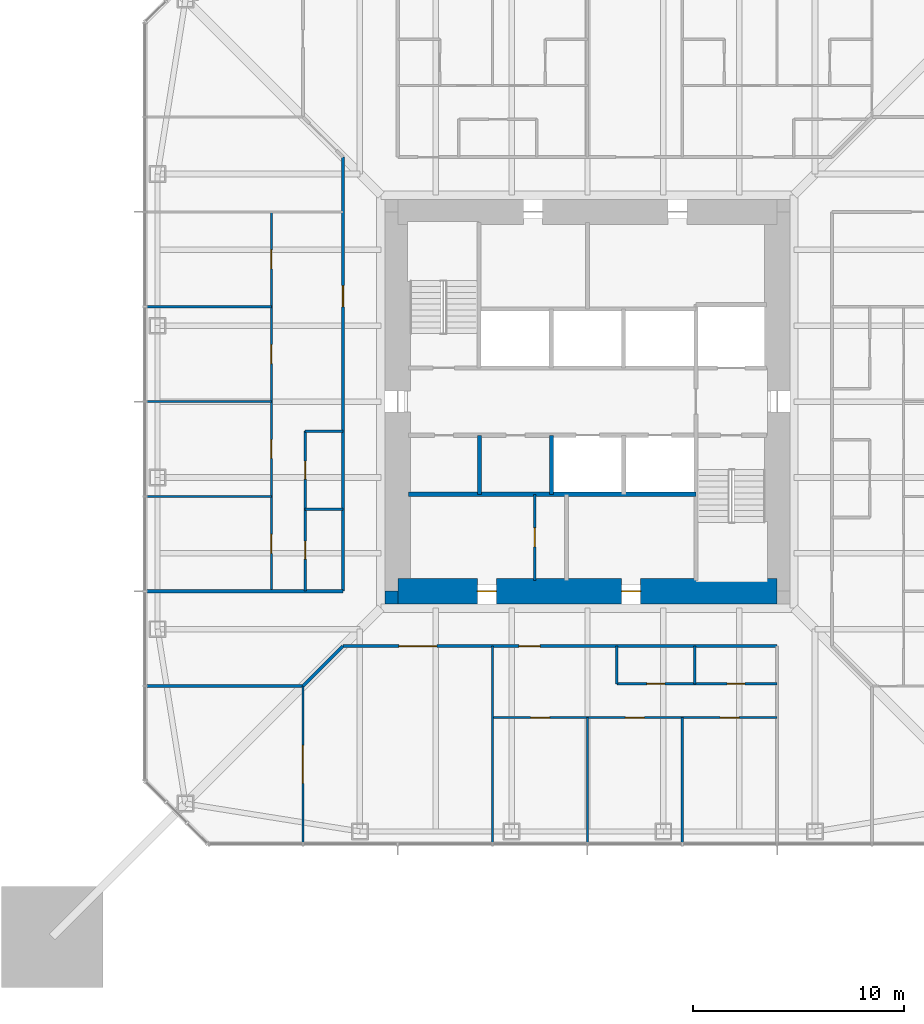
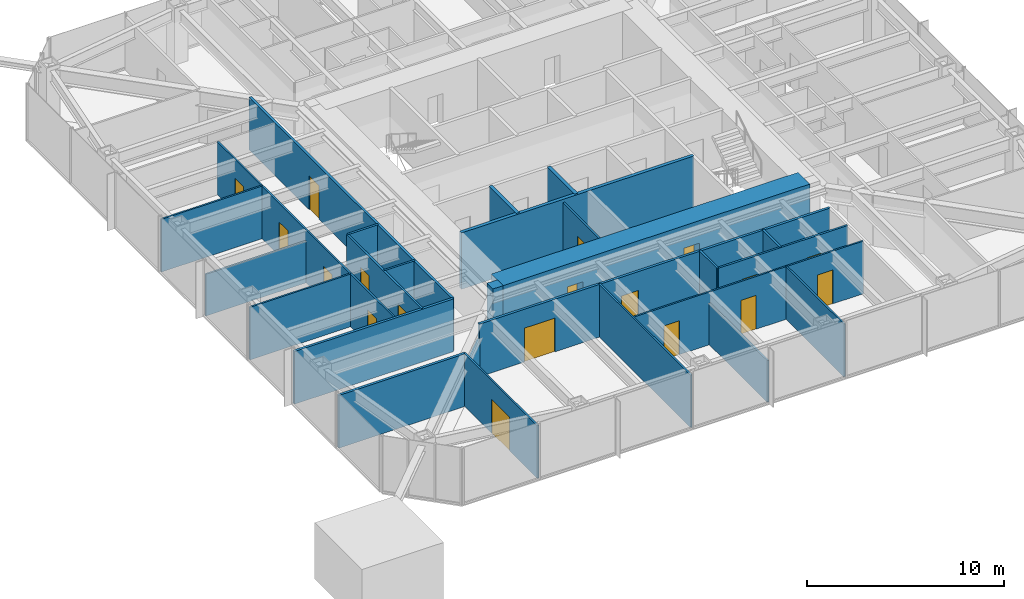
# One storey, part 13 of 25: 26 walls, 18 doors, 18 openings.
"""IFC4 building model written with IfcOpenShell, lengths in metres."""

from ifc_helpers import new_model, si_unit, direction, frame, frame_2d, origin, place, context, subcontext, project, spatial, rectangle, extrude, material, layer, layer_set, type_object, element, fill, save


model = new_model("IFC4")

# Units and contexts
model_context = context("Model", 3, precision=1e-05, world=origin(), true_north=direction((0.0, 1.0)))
body_context = subcontext(model_context, "Body", "Model", "MODEL_VIEW")
ifc_project = project(units=[si_unit("LENGTHUNIT", "METRE"), si_unit("AREAUNIT", "SQUARE_METRE"), si_unit("VOLUMEUNIT", "CUBIC_METRE"), si_unit("PLANEANGLEUNIT", "RADIAN"), si_unit("MASSUNIT", "GRAM", prefix="KILO")], contexts=[model_context])

# Site, building, storey
site_placement = place(None, origin())
site = spatial("IfcSite", under=ifc_project, at=site_placement, CompositionType="ELEMENT")
building_placement = place(site_placement, origin())
building = spatial("IfcBuilding", under=site, at=building_placement, Name="Iwan Alto Co-Living Towers", CompositionType="ELEMENT")
storey_placement = place(building_placement, frame((0.0, 0.0, 108.5)))
storey = spatial("IfcBuildingStorey", under=building, at=storey_placement, Name="L29", CompositionType="ELEMENT", Elevation=108.5)

# Wall
ifc_material_1 = material(Name="Gypsum board")
ifc_layer_1 = layer(ifc_material_1, 0.02490234375, Name="Board", Category="Finish")
ifc_material_2 = material(Name="Steel ASTM A1003 ST33H cold-formed studs", Category="steel")
ifc_layer_2 = layer(ifc_material_2, 0.10009765625, Name="Studs", Category="Framing")
ifc_layer_3 = layer(ifc_material_1, 0.02490234375, Name="Board", Category="Finish")
ifc_layer_set_1 = layer_set([ifc_layer_1, ifc_layer_2, ifc_layer_3], Name="CORRIDOR WALL 150")
wall_type_1 = type_object("IfcWallType", Name="CORRIDOR WALL 150", PredefinedType="PARTITIONING", material=ifc_layer_set_1)
wall_1_placement = place(storey_placement, frame((-20.93994140625, -13.5, 0.0), z_axis=(0.0, 0.0, 1.0), x_axis=(1.0, 0.0, 0.0)))
element("IfcWall", 1, at=wall_1_placement, inside=storey, type_object=wall_type_1, Name="Partition L29", PredefinedType="PARTITIONING", context=body_context, shape_type="SweptSolid", body=[
    extrude(rectangle(XDim=7.43994140625, YDim=0.14990234375, at=frame_2d((3.719970703125, 0.0))), origin(), (0.0, 0.0, 1.0), 3.27001953125),
])

# Wall, openings, doors
wall_2_placement = place(storey_placement, frame((-11.60009765625, -11.60009765625, 0.0), z_axis=(0.0, 0.0, 1.0), x_axis=(1.0, 0.0, 0.0)))
wall_2 = element("IfcWall", 2, at=wall_2_placement, inside=storey, type_object=wall_type_1, Name="Partition L29", PredefinedType="PARTITIONING", context=body_context, shape_type="SweptSolid", body=[
    extrude(rectangle(XDim=20.60009765625, YDim=0.14990234375, at=frame_2d((10.300048828125, 0.0))), origin(), (0.0, 0.0, 1.0), 3.27001953125),
])
opening_1_placement = place(wall_2_placement, frame((2.64990234375, 0.0, 0.0)))
opening_1 = element("IfcOpeningElement", 3, at=opening_1_placement, cuts=wall_2, Name="Opening D9", PredefinedType="OPENING", context=body_context, shape_type="SweptSolid", body=[
    extrude(rectangle(XDim=1.800048828125, YDim=2.10009765625, at=frame_2d((0.89990234375, 1.050048828125))), frame((0.0, 0.0849609375, 0.0), z_axis=(0.0, -1.0, 0.0), x_axis=(1.0, 0.0, 0.0)), (0.0, 0.0, 1.0), 0.169921875),
])
opening_2_placement = place(wall_2_placement, frame((8.35009765625, 0.0, 0.0)))
opening_2 = element("IfcOpeningElement", 4, at=opening_2_placement, cuts=wall_2, Name="Opening D3", PredefinedType="OPENING", context=body_context, shape_type="SweptSolid", body=[
    extrude(rectangle(XDim=1.0, YDim=2.10009765625, at=frame_2d((0.5, 1.050048828125))), frame((0.0, 0.0849609375, 0.0), z_axis=(0.0, -1.0, 0.0), x_axis=(1.0, 0.0, 0.0)), (0.0, 0.0, 1.0), 0.169921875),
])
ifc_material_3 = material(Name="Steel frame with timber leaf", Category="steel")
door_type_1 = type_object("IfcDoorType", Name="FLAT ENTRANCE DOOR FD30S 1000X2100", OperationType="SINGLE_SWING_LEFT", PredefinedType="DOOR", material=ifc_material_3)
door_1_placement = place(opening_2_placement, frame((1.0, 0.0, 0.0), z_axis=(0.0, 0.0, 1.0), x_axis=(-1.0, 0.0, 0.0)))
door_1 = element("IfcDoor", 5, at=door_1_placement, inside=storey, type_object=door_type_1, Name="Cluster lounge and shared kitchen door L29", OperationType="SINGLE_SWING_RIGHT", OverallHeight=2.10009765625, OverallWidth=1.0, PredefinedType="DOOR", context=body_context, shape_type="SweptSolid", body=[
    extrude(rectangle(XDim=1.0, YDim=2.10009765625, at=frame_2d((0.5, 1.050048828125))), frame((0.0, 0.02490234375, 0.0), z_axis=(0.0, -1.0, 0.0), x_axis=(1.0, 0.0, 0.0)), (0.0, 0.0, 1.0), 0.050048828125),
])
fill(opening_2, door_1)
ifc_material_4 = material(Name="Steel frame with timber leaf", Category="steel")
door_type_2 = type_object("IfcDoorType", Name="LOUNGE DOOR FD30S 1800X2100", OperationType="DOUBLE_DOOR_SINGLE_SWING", PredefinedType="DOOR", material=ifc_material_4)
door_2_placement = place(opening_1_placement, frame((1.800048828125, 0.0, 0.0), z_axis=(0.0, 0.0, 1.0), x_axis=(-1.0, 0.0, 0.0)))
door_2 = element("IfcDoor", 6, at=door_2_placement, inside=storey, type_object=door_type_2, Name="Study commons door L29", OperationType="DOUBLE_DOOR_SINGLE_SWING", OverallHeight=2.10009765625, OverallWidth=1.800048828125, PredefinedType="DOOR", context=body_context, shape_type="SweptSolid", body=[
    extrude(rectangle(XDim=1.800048828125, YDim=2.10009765625, at=frame_2d((0.89990234375, 1.050048828125))), frame((0.0, 0.02490234375, 0.0), z_axis=(0.0, -1.0, 0.0), x_axis=(1.0, 0.0, 0.0)), (0.0, 0.0, 1.0), 0.050048828125),
])
fill(opening_1, door_2)

# Walls
wall_3_placement = place(storey_placement, frame((-20.93994140625, -9.0, 0.0), z_axis=(0.0, 0.0, 1.0), x_axis=(1.0, 0.0, 0.0)))
element("IfcWall", 7, at=wall_3_placement, inside=storey, type_object=wall_type_1, Name="Partition L29", PredefinedType="PARTITIONING", context=body_context, shape_type="SweptSolid", body=[
    extrude(rectangle(XDim=9.33984375, YDim=0.14990234375, at=frame_2d((4.669921875, 0.0))), origin(), (0.0, 0.0, 1.0), 3.27001953125),
])
wall_4_placement = place(storey_placement, frame((-13.5, -13.5, 0.0), z_axis=(0.0, 0.0, 1.0), x_axis=(0.707106781187, 0.707106781187, 0.0)))
element("IfcWall", 8, at=wall_4_placement, inside=storey, type_object=wall_type_1, Name="Partition L29", PredefinedType="PARTITIONING", context=body_context, shape_type="SweptSolid", body=[
    extrude(rectangle(XDim=2.686767578125, YDim=0.14990234375, at=frame_2d((1.34326171875, 0.0))), origin(), (0.0, 0.0, 1.0), 2.343017578125),
])

# Wall, opening, door
wall_5_placement = place(storey_placement, frame((-11.60009765625, -9.0, 0.0), z_axis=(0.0, 0.0, 1.0), x_axis=(0.0, 1.0, 0.0)))
wall_5 = element("IfcWall", 9, at=wall_5_placement, inside=storey, type_object=wall_type_1, Name="Partition L29", PredefinedType="PARTITIONING", context=body_context, shape_type="SweptSolid", body=[
    extrude(rectangle(XDim=20.60009765625, YDim=0.14990234375, at=frame_2d((10.300048828125, 0.0))), origin(), (0.0, 0.0, 1.0), 3.27001953125),
])
opening_3_placement = place(wall_5_placement, frame((13.5, 0.0, 0.0)))
opening_3 = element("IfcOpeningElement", 10, at=opening_3_placement, cuts=wall_5, Name="Opening D3", PredefinedType="OPENING", context=body_context, shape_type="SweptSolid", body=[
    extrude(rectangle(XDim=1.0, YDim=2.10009765625, at=frame_2d((0.5, 1.050048828125))), frame((0.0, 0.0849609375, 0.0), z_axis=(0.0, -1.0, 0.0), x_axis=(1.0, 0.0, 0.0)), (0.0, 0.0, 1.0), 0.169921875),
])
door_3_placement = place(opening_3_placement, origin())
door_3 = element("IfcDoor", 11, at=door_3_placement, inside=storey, type_object=door_type_1, Name="Cluster lounge and shared kitchen door L29", OperationType="SINGLE_SWING_RIGHT", OverallHeight=2.10009765625, OverallWidth=1.0, PredefinedType="DOOR", context=body_context, shape_type="SweptSolid", body=[
    extrude(rectangle(XDim=1.0, YDim=2.10009765625, at=frame_2d((0.5, 1.050048828125))), frame((0.0, 0.02490234375, 0.0), z_axis=(0.0, -1.0, 0.0), x_axis=(1.0, 0.0, 0.0)), (0.0, 0.0, 1.0), 0.050048828125),
])
fill(opening_3, door_3)

# Wall, openings, doors
ifc_layer_4 = layer(ifc_material_1, 0.012451171875, Name="Board", Category="Finish")
ifc_layer_5 = layer(ifc_material_2, 0.074951171875, Name="Studs", Category="Framing")
ifc_layer_6 = layer(ifc_material_1, 0.012451171875, Name="Board", Category="Finish")
ifc_layer_set_2 = layer_set([ifc_layer_4, ifc_layer_5, ifc_layer_6], Name="PARTITION 100")
wall_type_2 = type_object("IfcWallType", Name="PARTITION 100", PredefinedType="PARTITIONING", material=ifc_layer_set_2)
wall_6_placement = place(storey_placement, frame((-4.5, -15.0, 0.0), z_axis=(0.0, 0.0, 1.0), x_axis=(1.0, 0.0, 0.0)))
wall_6 = element("IfcWall", 12, at=wall_6_placement, inside=storey, type_object=wall_type_2, Name="Partition L29", PredefinedType="PARTITIONING", context=body_context, shape_type="SweptSolid", body=[
    extrude(rectangle(XDim=13.5, YDim=0.10009765625, at=frame_2d((6.75, 0.0))), origin(), (0.0, 0.0, 1.0), 3.27001953125),
])
opening_4_placement = place(wall_6_placement, frame((1.800048828125, 0.0, 0.0)))
opening_4 = element("IfcOpeningElement", 13, at=opening_4_placement, cuts=wall_6, Name="Opening D1", PredefinedType="OPENING", context=body_context, shape_type="SweptSolid", body=[
    extrude(rectangle(XDim=0.89990234375, YDim=2.10009765625, at=frame_2d((0.449951171875, 1.050048828125))), frame((0.0, 0.06005859375, 0.0), z_axis=(0.0, -1.0, 0.0), x_axis=(1.0, 0.0, 0.0)), (0.0, 0.0, 1.0), 0.1201171875),
])
opening_5_placement = place(wall_6_placement, frame((6.300048828125, 0.0, 0.0)))
opening_5 = element("IfcOpeningElement", 14, at=opening_5_placement, cuts=wall_6, Name="Opening D1", PredefinedType="OPENING", context=body_context, shape_type="SweptSolid", body=[
    extrude(rectangle(XDim=0.89990234375, YDim=2.10009765625, at=frame_2d((0.449951171875, 1.050048828125))), frame((0.0, 0.06005859375, 0.0), z_axis=(0.0, -1.0, 0.0), x_axis=(1.0, 0.0, 0.0)), (0.0, 0.0, 1.0), 0.1201171875),
])
opening_6_placement = place(wall_6_placement, frame((10.800048828125, 0.0, 0.0)))
opening_6 = element("IfcOpeningElement", 15, at=opening_6_placement, cuts=wall_6, Name="Opening D1", PredefinedType="OPENING", context=body_context, shape_type="SweptSolid", body=[
    extrude(rectangle(XDim=0.89990234375, YDim=2.10009765625, at=frame_2d((0.449951171875, 1.050048828125))), frame((0.0, 0.06005859375, 0.0), z_axis=(0.0, -1.0, 0.0), x_axis=(1.0, 0.0, 0.0)), (0.0, 0.0, 1.0), 0.1201171875),
])
ifc_material_5 = material(Name="Timber leaf in steel frame", Category="steel")
door_type_3 = type_object("IfcDoorType", Name="BEDROOM DOOR 900X2100", OperationType="SINGLE_SWING_LEFT", PredefinedType="DOOR", material=ifc_material_5)
door_4_placement = place(opening_4_placement, origin())
door_4 = element("IfcDoor", 16, at=door_4_placement, inside=storey, type_object=door_type_3, Name="Study bedroom door L29", OperationType="SINGLE_SWING_LEFT", OverallHeight=2.10009765625, OverallWidth=0.89990234375, PredefinedType="DOOR", context=body_context, shape_type="SweptSolid", body=[
    extrude(rectangle(XDim=0.89990234375, YDim=2.10009765625, at=frame_2d((0.449951171875, 1.050048828125))), frame((0.0, 0.02490234375, 0.0), z_axis=(0.0, -1.0, 0.0), x_axis=(1.0, 0.0, 0.0)), (0.0, 0.0, 1.0), 0.050048828125),
])
fill(opening_4, door_4)
door_5_placement = place(opening_5_placement, origin())
door_5 = element("IfcDoor", 17, at=door_5_placement, inside=storey, type_object=door_type_3, Name="Study bedroom door L29", OperationType="SINGLE_SWING_LEFT", OverallHeight=2.10009765625, OverallWidth=0.89990234375, PredefinedType="DOOR", context=body_context, shape_type="SweptSolid", body=[
    extrude(rectangle(XDim=0.89990234375, YDim=2.10009765625, at=frame_2d((0.449951171875, 1.050048828125))), frame((0.0, 0.02490234375, 0.0), z_axis=(0.0, -1.0, 0.0), x_axis=(1.0, 0.0, 0.0)), (0.0, 0.0, 1.0), 0.050048828125),
])
fill(opening_5, door_5)
door_6_placement = place(opening_6_placement, origin())
door_6 = element("IfcDoor", 18, at=door_6_placement, inside=storey, type_object=door_type_3, Name="Study bedroom door L29", OperationType="SINGLE_SWING_RIGHT", OverallHeight=2.10009765625, OverallWidth=0.89990234375, PredefinedType="DOOR", context=body_context, shape_type="SweptSolid", body=[
    extrude(rectangle(XDim=0.89990234375, YDim=2.10009765625, at=frame_2d((0.449951171875, 1.050048828125))), frame((0.0, 0.02490234375, 0.0), z_axis=(0.0, -1.0, 0.0), x_axis=(1.0, 0.0, 0.0)), (0.0, 0.0, 1.0), 0.050048828125),
])
fill(opening_6, door_6)

# Walls
wall_7_placement = place(storey_placement, frame((-20.93994140625, -4.5, 0.0), z_axis=(0.0, 0.0, 1.0), x_axis=(1.0, 0.0, 0.0)))
element("IfcWall", 19, at=wall_7_placement, inside=storey, type_object=wall_type_2, Name="Partition L29", PredefinedType="PARTITIONING", context=body_context, shape_type="SweptSolid", body=[
    extrude(rectangle(XDim=5.93994140625, YDim=0.10009765625, at=frame_2d((2.969970703125, 0.0))), origin(), (0.0, 0.0, 1.0), 3.27001953125),
])
wall_8_placement = place(storey_placement, frame((-20.93994140625, 0.0, 0.0), z_axis=(0.0, 0.0, 1.0), x_axis=(1.0, 0.0, 0.0)))
element("IfcWall", 20, at=wall_8_placement, inside=storey, type_object=wall_type_2, Name="Partition L29", PredefinedType="PARTITIONING", context=body_context, shape_type="SweptSolid", body=[
    extrude(rectangle(XDim=5.93994140625, YDim=0.10009765625, at=frame_2d((2.969970703125, 0.0))), origin(), (0.0, 0.0, 1.0), 2.586669921875),
])
for number, where, z_axis, x_axis, name in (
    (21, (-20.93994140625, 4.5, 0.0), (0.0, 0.0, 1.0), (1.0, 0.0, 0.0), "Partition L29"),
    (22, (4.5, -20.93994140625, 0.0), (0.0, 0.0, 1.0), (0.0, 1.0, 0.0), "Partition L29"),
):
    element("IfcWall", number, at=place(storey_placement, frame(where, z_axis=z_axis, x_axis=x_axis)), inside=storey, type_object=wall_type_2, Name=name, PredefinedType="PARTITIONING", context=body_context, shape_type="SweptSolid", body=[
        extrude(rectangle(XDim=5.93994140625, YDim=0.10009765625, at=frame_2d((2.969970703125, 0.0))), origin(), (0.0, 0.0, 1.0), 3.27001953125),
    ])
wall_9_placement = place(storey_placement, frame((0.0, -20.93994140625, 0.0), z_axis=(0.0, 0.0, 1.0), x_axis=(0.0, 1.0, 0.0)))
element("IfcWall", 23, at=wall_9_placement, inside=storey, type_object=wall_type_2, Name="Partition L29", PredefinedType="PARTITIONING", context=body_context, shape_type="SweptSolid", body=[
    extrude(rectangle(XDim=5.93994140625, YDim=0.10009765625, at=frame_2d((2.969970703125, 0.0))), origin(), (0.0, 0.0, 1.0), 2.586669921875),
])

# Wall, opening, door
wall_10_placement = place(storey_placement, frame((-2.5, -8.489990234375, 0.0), z_axis=(0.0, 0.0, 1.0), x_axis=(0.0, 1.0, 0.0)))
wall_10 = element("IfcWall", 24, at=wall_10_placement, inside=storey, type_object=wall_type_2, Name="Partition L29", PredefinedType="PARTITIONING", context=body_context, shape_type="SweptSolid", body=[
    extrude(rectangle(XDim=4.090087890625, YDim=0.10009765625, at=frame_2d((2.044921875, 0.0))), origin(), (0.0, 0.0, 1.0), 3.300048828125),
])
opening_7_placement = place(wall_10_placement, frame((1.594970703125, 0.0, 0.0)))
opening_7 = element("IfcOpeningElement", 25, at=opening_7_placement, cuts=wall_10, Name="Opening D16", PredefinedType="OPENING", context=body_context, shape_type="SweptSolid", body=[
    extrude(rectangle(XDim=0.89990234375, YDim=2.10009765625, at=frame_2d((0.449951171875, 1.050048828125))), frame((0.0, 0.06005859375, 0.0), z_axis=(0.0, -1.0, 0.0), x_axis=(1.0, 0.0, 0.0)), (0.0, 0.0, 1.0), 0.1201171875),
])
ifc_material_6 = material(Name="Timber leaf in steel frame", Category="steel")
door_type_4 = type_object("IfcDoorType", Name="CUPBOARD SLIDING DOOR 900X2100", OperationType="SLIDING_TO_LEFT", PredefinedType="DOOR", material=ifc_material_6)
door_7_placement = place(opening_7_placement, origin())
door_7 = element("IfcDoor", 26, at=door_7_placement, inside=storey, type_object=door_type_4, Name="Bin store door L29", OperationType="SLIDING_TO_LEFT", OverallHeight=2.10009765625, OverallWidth=0.89990234375, PredefinedType="DOOR", context=body_context, shape_type="SweptSolid", body=[
    extrude(rectangle(XDim=0.89990234375, YDim=2.10009765625, at=frame_2d((0.449951171875, 1.050048828125))), frame((0.0, 0.02490234375, 0.0), z_axis=(0.0, -1.0, 0.0), x_axis=(1.0, 0.0, 0.0)), (0.0, 0.0, 1.0), 0.050048828125),
])
fill(opening_7, door_7)

# Wall
wall_11_placement = place(storey_placement, frame((-4.5, -20.93994140625, 0.0), z_axis=(0.0, 0.0, 1.0), x_axis=(0.0, 1.0, 0.0)))
element("IfcWall", 27, at=wall_11_placement, inside=storey, type_object=wall_type_2, Name="Partition L29", PredefinedType="PARTITIONING", context=body_context, shape_type="SweptSolid", body=[
    extrude(rectangle(XDim=9.33984375, YDim=0.10009765625, at=frame_2d((4.669921875, 0.0))), origin(), (0.0, 0.0, 1.0), 3.27001953125),
])

# Wall, opening, door
wall_12_placement = place(storey_placement, frame((-13.5, -20.93994140625, 0.0), z_axis=(0.0, 0.0, 1.0), x_axis=(0.0, 1.0, 0.0)))
wall_12 = element("IfcWall", 28, at=wall_12_placement, inside=storey, type_object=wall_type_2, Name="Partition L29", PredefinedType="PARTITIONING", context=body_context, shape_type="SweptSolid", body=[
    extrude(rectangle(XDim=7.43994140625, YDim=0.10009765625, at=frame_2d((3.719970703125, 0.0))), origin(), (0.0, 0.0, 1.0), 3.27001953125),
])
opening_8_placement = place(wall_12_placement, frame((2.820068359375, 0.0, 0.0)))
opening_8 = element("IfcOpeningElement", 29, at=opening_8_placement, cuts=wall_12, Name="Opening D14", PredefinedType="OPENING", context=body_context, shape_type="SweptSolid", body=[
    extrude(rectangle(XDim=1.800048828125, YDim=2.10009765625, at=frame_2d((0.89990234375, 1.050048828125))), frame((0.0, 0.06005859375, 0.0), z_axis=(0.0, -1.0, 0.0), x_axis=(1.0, 0.0, 0.0)), (0.0, 0.0, 1.0), 0.1201171875),
])
ifc_material_7 = material(Name="Timber leaf in steel frame", Category="steel")
door_type_5 = type_object("IfcDoorType", Name="LOUNGE DOOR 1800X2100", OperationType="DOUBLE_DOOR_SINGLE_SWING", PredefinedType="DOOR", material=ifc_material_7)
door_8_placement = place(opening_8_placement, frame((1.800048828125, 0.0, 0.0), z_axis=(0.0, 0.0, 1.0), x_axis=(-1.0, 0.0, 0.0)))
door_8 = element("IfcDoor", 30, at=door_8_placement, inside=storey, type_object=door_type_5, Name="Courtyard lounge door L29", OperationType="DOUBLE_DOOR_SINGLE_SWING", OverallHeight=2.10009765625, OverallWidth=1.800048828125, PredefinedType="DOOR", context=body_context, shape_type="SweptSolid", body=[
    extrude(rectangle(XDim=1.800048828125, YDim=2.10009765625, at=frame_2d((0.89990234375, 1.050048828125))), frame((0.0, 0.02490234375, 0.0), z_axis=(0.0, -1.0, 0.0), x_axis=(1.0, 0.0, 0.0)), (0.0, 0.0, 1.0), 0.050048828125),
])
fill(opening_8, door_8)

# Wall, openings, doors
wall_13_placement = place(storey_placement, frame((-15.0, -9.0, 0.0), z_axis=(0.0, 0.0, 1.0), x_axis=(0.0, 1.0, 0.0)))
wall_13 = element("IfcWall", 31, at=wall_13_placement, inside=storey, type_object=wall_type_2, Name="Partition L29", PredefinedType="PARTITIONING", context=body_context, shape_type="SweptSolid", body=[
    extrude(rectangle(XDim=18.0, YDim=0.10009765625, at=frame_2d((9.0, 0.0))), origin(), (0.0, 0.0, 1.0), 3.27001953125),
])
opening_9_placement = place(wall_13_placement, frame((15.300048828125, 0.0, 0.0)))
opening_9 = element("IfcOpeningElement", 32, at=opening_9_placement, cuts=wall_13, Name="Opening D1", PredefinedType="OPENING", context=body_context, shape_type="SweptSolid", body=[
    extrude(rectangle(XDim=0.89990234375, YDim=2.10009765625, at=frame_2d((0.449951171875, 1.050048828125))), frame((0.0, 0.06005859375, 0.0), z_axis=(0.0, -1.0, 0.0), x_axis=(1.0, 0.0, 0.0)), (0.0, 0.0, 1.0), 0.1201171875),
])
opening_10_placement = place(wall_13_placement, frame((10.800048828125, 0.0, 0.0)))
opening_10 = element("IfcOpeningElement", 33, at=opening_10_placement, cuts=wall_13, Name="Opening D1", PredefinedType="OPENING", context=body_context, shape_type="SweptSolid", body=[
    extrude(rectangle(XDim=0.89990234375, YDim=2.10009765625, at=frame_2d((0.449951171875, 1.050048828125))), frame((0.0, 0.06005859375, 0.0), z_axis=(0.0, -1.0, 0.0), x_axis=(1.0, 0.0, 0.0)), (0.0, 0.0, 1.0), 0.1201171875),
])
opening_11_placement = place(wall_13_placement, frame((6.300048828125, 0.0, 0.0)))
opening_11 = element("IfcOpeningElement", 34, at=opening_11_placement, cuts=wall_13, Name="Opening D1", PredefinedType="OPENING", context=body_context, shape_type="SweptSolid", body=[
    extrude(rectangle(XDim=0.89990234375, YDim=2.10009765625, at=frame_2d((0.449951171875, 1.050048828125))), frame((0.0, 0.06005859375, 0.0), z_axis=(0.0, -1.0, 0.0), x_axis=(1.0, 0.0, 0.0)), (0.0, 0.0, 1.0), 0.1201171875),
])
opening_12_placement = place(wall_13_placement, frame((1.800048828125, 0.0, 0.0)))
opening_12 = element("IfcOpeningElement", 35, at=opening_12_placement, cuts=wall_13, Name="Opening D1", PredefinedType="OPENING", context=body_context, shape_type="SweptSolid", body=[
    extrude(rectangle(XDim=0.89990234375, YDim=2.10009765625, at=frame_2d((0.449951171875, 1.050048828125))), frame((0.0, 0.06005859375, 0.0), z_axis=(0.0, -1.0, 0.0), x_axis=(1.0, 0.0, 0.0)), (0.0, 0.0, 1.0), 0.1201171875),
])
door_9_placement = place(opening_9_placement, frame((0.89990234375, 0.0, 0.0), z_axis=(0.0, 0.0, 1.0), x_axis=(-1.0, 0.0, 0.0)))
door_9 = element("IfcDoor", 36, at=door_9_placement, inside=storey, type_object=door_type_3, Name="Study bedroom door L29", OperationType="SINGLE_SWING_LEFT", OverallHeight=2.10009765625, OverallWidth=0.89990234375, PredefinedType="DOOR", context=body_context, shape_type="SweptSolid", body=[
    extrude(rectangle(XDim=0.89990234375, YDim=2.10009765625, at=frame_2d((0.449951171875, 1.050048828125))), frame((0.0, 0.02490234375, 0.0), z_axis=(0.0, -1.0, 0.0), x_axis=(1.0, 0.0, 0.0)), (0.0, 0.0, 1.0), 0.050048828125),
])
fill(opening_9, door_9)
door_10_placement = place(opening_10_placement, frame((0.89990234375, 0.0, 0.0), z_axis=(0.0, 0.0, 1.0), x_axis=(-1.0, 0.0, 0.0)))
door_10 = element("IfcDoor", 37, at=door_10_placement, inside=storey, type_object=door_type_3, Name="Study bedroom door L29", OperationType="SINGLE_SWING_LEFT", OverallHeight=2.10009765625, OverallWidth=0.89990234375, PredefinedType="DOOR", context=body_context, shape_type="SweptSolid", body=[
    extrude(rectangle(XDim=0.89990234375, YDim=2.10009765625, at=frame_2d((0.449951171875, 1.050048828125))), frame((0.0, 0.02490234375, 0.0), z_axis=(0.0, -1.0, 0.0), x_axis=(1.0, 0.0, 0.0)), (0.0, 0.0, 1.0), 0.050048828125),
])
fill(opening_10, door_10)
door_11_placement = place(opening_11_placement, frame((0.89990234375, 0.0, 0.0), z_axis=(0.0, 0.0, 1.0), x_axis=(-1.0, 0.0, 0.0)))
door_11 = element("IfcDoor", 38, at=door_11_placement, inside=storey, type_object=door_type_3, Name="Study bedroom door L29", OperationType="SINGLE_SWING_RIGHT", OverallHeight=2.10009765625, OverallWidth=0.89990234375, PredefinedType="DOOR", context=body_context, shape_type="SweptSolid", body=[
    extrude(rectangle(XDim=0.89990234375, YDim=2.10009765625, at=frame_2d((0.449951171875, 1.050048828125))), frame((0.0, 0.02490234375, 0.0), z_axis=(0.0, -1.0, 0.0), x_axis=(1.0, 0.0, 0.0)), (0.0, 0.0, 1.0), 0.050048828125),
])
fill(opening_11, door_11)
door_12_placement = place(opening_12_placement, frame((0.89990234375, 0.0, 0.0), z_axis=(0.0, 0.0, 1.0), x_axis=(-1.0, 0.0, 0.0)))
door_12 = element("IfcDoor", 39, at=door_12_placement, inside=storey, type_object=door_type_3, Name="Study bedroom door L29", OperationType="SINGLE_SWING_RIGHT", OverallHeight=2.10009765625, OverallWidth=0.89990234375, PredefinedType="DOOR", context=body_context, shape_type="SweptSolid", body=[
    extrude(rectangle(XDim=0.89990234375, YDim=2.10009765625, at=frame_2d((0.449951171875, 1.050048828125))), frame((0.0, 0.02490234375, 0.0), z_axis=(0.0, -1.0, 0.0), x_axis=(1.0, 0.0, 0.0)), (0.0, 0.0, 1.0), 0.050048828125),
])
fill(opening_12, door_12)

# Walls
ifc_material_8 = material(Name="Concrete f'c 70 MPa", Category="concrete")
ifc_layer_7 = layer(ifc_material_8, 0.199951171875)
ifc_layer_set_3 = layer_set([ifc_layer_7], Name="SHAFT WALL 200")
wall_type_3 = type_object("IfcWallType", Name="SHAFT WALL 200", PredefinedType="SOLIDWALL", material=ifc_layer_set_3)
wall_14_placement = place(storey_placement, frame((-8.489990234375, -4.39990234375, 0.0), z_axis=(0.0, 0.0, 1.0), x_axis=(1.0, 0.0, 0.0)))
element("IfcWall", 40, at=wall_14_placement, inside=storey, type_object=wall_type_3, Name="Shaft wall L29", PredefinedType="SOLIDWALL", context=body_context, shape_type="SweptSolid", body=[
    extrude(rectangle(XDim=13.639892578125, YDim=0.199951171875, at=frame_2d((6.81982421875, 0.0))), origin(), (0.0, 0.0, 1.0), 3.5),
])
for number, where, z_axis, x_axis, name in (
    (41, (-1.699951171875, -4.39990234375, 0.0), (0.0, 0.0, 1.0), (0.0, 1.0, 0.0), "Shaft wall L29"),
    (42, (-5.125, -4.39990234375, 0.0), (0.0, 0.0, 1.0), (0.0, 1.0, 0.0), "Shaft wall L29"),
):
    element("IfcWall", number, at=place(storey_placement, frame(where, z_axis=z_axis, x_axis=x_axis)), inside=storey, type_object=wall_type_3, Name=name, PredefinedType="SOLIDWALL", context=body_context, shape_type="SweptSolid", body=[
        extrude(rectangle(XDim=2.7998046875, YDim=0.199951171875, at=frame_2d((1.39990234375, 0.0))), origin(), (0.0, 0.0, 1.0), 3.5),
    ])
ifc_material_9 = material(Name="Concrete f'c 70 MPa", Category="concrete")
ifc_layer_8 = layer(ifc_material_9, 0.60009765625)
ifc_layer_set_4 = layer_set([ifc_layer_8], Name="T1 CORE CORNER FILL 600")
wall_type_4 = type_object("IfcWallType", Name="T1 CORE CORNER FILL 600", PredefinedType="SOLIDWALL", material=ifc_layer_set_4)
wall_15_placement = place(storey_placement, frame((-9.60009765625, -9.300048828125, 0.0), z_axis=(0.0, 0.0, 1.0), x_axis=(1.0, 0.0, 0.0)))
element("IfcWall", 43, at=wall_15_placement, inside=storey, type_object=wall_type_4, Name="T1 core corner SW L29", PredefinedType="SOLIDWALL", context=body_context, shape_type="SweptSolid", body=[
    extrude(rectangle(XDim=0.60009765625, YDim=0.60009765625, at=frame_2d((0.300048828125, 0.0))), origin(), (0.0, 0.0, 1.0), 3.5),
])

# Wall, openings, doors
ifc_material_10 = material(Name="Concrete f'c 70 MPa", Category="concrete")
ifc_layer_9 = layer(ifc_material_10, 1.199951171875)
ifc_layer_set_5 = layer_set([ifc_layer_9], Name="T1 CORE WALL 1200")
wall_type_5 = type_object("IfcWallType", Name="T1 CORE WALL 1200", PredefinedType="SHEAR", material=ifc_layer_set_5)
wall_16_placement = place(storey_placement, frame((-9.0, -9.0, 0.0), z_axis=(0.0, 0.0, 1.0), x_axis=(1.0, 0.0, 0.0)))
wall_16 = element("IfcWall", 44, at=wall_16_placement, inside=storey, type_object=wall_type_5, Name="T1 core wall S L29", PredefinedType="SHEAR", context=body_context, shape_type="SweptSolid", body=[
    extrude(rectangle(XDim=18.0, YDim=1.199951171875, at=frame_2d((9.0, 0.0))), origin(), (0.0, 0.0, 1.0), 3.5),
])
opening_13_placement = place(wall_16_placement, frame((3.77490234375, 0.0, 0.0)))
opening_13 = element("IfcOpeningElement", 45, at=opening_13_placement, cuts=wall_16, Name="Opening D8", PredefinedType="OPENING", context=body_context, shape_type="SweptSolid", body=[
    extrude(rectangle(XDim=0.89990234375, YDim=2.10009765625, at=frame_2d((0.449951171875, 1.050048828125))), frame((0.0, 0.60986328125, 0.0), z_axis=(0.0, -1.0, 0.0), x_axis=(1.0, 0.0, 0.0)), (0.0, 0.0, 1.0), 1.219970703125),
])
opening_14_placement = place(wall_16_placement, frame((10.625, 0.0, 0.0)))
opening_14 = element("IfcOpeningElement", 46, at=opening_14_placement, cuts=wall_16, Name="Opening D8", PredefinedType="OPENING", context=body_context, shape_type="SweptSolid", body=[
    extrude(rectangle(XDim=0.89990234375, YDim=2.10009765625, at=frame_2d((0.449951171875, 1.050048828125))), frame((0.0, 0.60986328125, 0.0), z_axis=(0.0, -1.0, 0.0), x_axis=(1.0, 0.0, 0.0)), (0.0, 0.0, 1.0), 1.219970703125),
])
ifc_material_11 = material(Name="Steel frame with timber leaf", Category="steel")
door_type_6 = type_object("IfcDoorType", Name="RISER DOOR FD120 900X2100", OperationType="SINGLE_SWING_LEFT", PredefinedType="DOOR", material=ifc_material_11)
door_13_placement = place(opening_13_placement, origin())
door_13 = element("IfcDoor", 47, at=door_13_placement, inside=storey, type_object=door_type_6, Name="Refuse room core door L29", OperationType="SINGLE_SWING_RIGHT", OverallHeight=2.10009765625, OverallWidth=0.89990234375, PredefinedType="DOOR", context=body_context, shape_type="SweptSolid", body=[
    extrude(rectangle(XDim=0.89990234375, YDim=2.10009765625, at=frame_2d((0.449951171875, 1.050048828125))), frame((0.0, 0.02490234375, 0.0), z_axis=(0.0, -1.0, 0.0), x_axis=(1.0, 0.0, 0.0)), (0.0, 0.0, 1.0), 0.050048828125),
])
fill(opening_13, door_13)
door_14_placement = place(opening_14_placement, origin())
door_14 = element("IfcDoor", 48, at=door_14_placement, inside=storey, type_object=door_type_6, Name="Telecom riser core door L29", OperationType="SINGLE_SWING_LEFT", OverallHeight=2.10009765625, OverallWidth=0.89990234375, PredefinedType="DOOR", context=body_context, shape_type="SweptSolid", body=[
    extrude(rectangle(XDim=0.89990234375, YDim=2.10009765625, at=frame_2d((0.449951171875, 1.050048828125))), frame((0.0, 0.02490234375, 0.0), z_axis=(0.0, -1.0, 0.0), x_axis=(1.0, 0.0, 0.0)), (0.0, 0.0, 1.0), 0.050048828125),
])
fill(opening_14, door_14)

ifc_material_12 = material(Name="Cement board")
ifc_layer_10 = layer(ifc_material_12, 0.012451171875, Name="Board", Category="Finish")
ifc_layer_11 = layer(ifc_material_2, 0.094970703125, Name="Studs", Category="Framing")
ifc_layer_12 = layer(ifc_material_12, 0.012451171875, Name="Board", Category="Finish")
ifc_layer_set_6 = layer_set([ifc_layer_10, ifc_layer_11, ifc_layer_12], Name="WET AREA PARTITION 120")
wall_type_6 = type_object("IfcWallType", Name="WET AREA PARTITION 120", PredefinedType="PARTITIONING", material=ifc_layer_set_6)
wall_17_placement = place(storey_placement, frame((1.39990234375, -13.39990234375, 0.0), z_axis=(0.0, 0.0, 1.0), x_axis=(1.0, 0.0, 0.0)))
wall_17 = element("IfcWall", 49, at=wall_17_placement, inside=storey, type_object=wall_type_6, Name="Partition L29", PredefinedType="PARTITIONING", context=body_context, shape_type="SweptSolid", body=[
    extrude(rectangle(XDim=7.60009765625, YDim=0.1201171875, at=frame_2d((3.800048828125, 0.0))), origin(), (0.0, 0.0, 1.0), 3.27001953125),
])
opening_15_placement = place(wall_17_placement, frame((1.425048828125, 0.0, 0.0)))
opening_15 = element("IfcOpeningElement", 50, at=opening_15_placement, cuts=wall_17, Name="Opening D2", PredefinedType="OPENING", context=body_context, shape_type="SweptSolid", body=[
    extrude(rectangle(XDim=0.85009765625, YDim=2.10009765625, at=frame_2d((0.425048828125, 1.050048828125))), frame((0.0, 0.070068359375, 0.0), z_axis=(0.0, -1.0, 0.0), x_axis=(1.0, 0.0, 0.0)), (0.0, 0.0, 1.0), 0.14013671875),
])
opening_16_placement = place(wall_17_placement, frame((5.22509765625, 0.0, 0.0)))
opening_16 = element("IfcOpeningElement", 51, at=opening_16_placement, cuts=wall_17, Name="Opening D2", PredefinedType="OPENING", context=body_context, shape_type="SweptSolid", body=[
    extrude(rectangle(XDim=0.85009765625, YDim=2.10009765625, at=frame_2d((0.425048828125, 1.050048828125))), frame((0.0, 0.070068359375, 0.0), z_axis=(0.0, -1.0, 0.0), x_axis=(1.0, 0.0, 0.0)), (0.0, 0.0, 1.0), 0.14013671875),
])
ifc_material_13 = material(Name="Timber leaf in steel frame", Category="steel")
door_type_7 = type_object("IfcDoorType", Name="ROOM DOOR 850X2100", OperationType="SINGLE_SWING_LEFT", PredefinedType="DOOR", material=ifc_material_13)
door_15_placement = place(opening_15_placement, frame((0.85009765625, 0.0, 0.0), z_axis=(0.0, 0.0, 1.0), x_axis=(-1.0, 0.0, 0.0)))
door_15 = element("IfcDoor", 52, at=door_15_placement, inside=storey, type_object=door_type_7, Name="Accessible bathroom door L29", OperationType="SINGLE_SWING_LEFT", OverallHeight=2.10009765625, OverallWidth=0.85009765625, PredefinedType="DOOR", context=body_context, shape_type="SweptSolid", body=[
    extrude(rectangle(XDim=0.85009765625, YDim=2.10009765625, at=frame_2d((0.425048828125, 1.050048828125))), frame((0.0, 0.02490234375, 0.0), z_axis=(0.0, -1.0, 0.0), x_axis=(1.0, 0.0, 0.0)), (0.0, 0.0, 1.0), 0.050048828125),
])
fill(opening_15, door_15)
door_16_placement = place(opening_16_placement, frame((0.85009765625, 0.0, 0.0), z_axis=(0.0, 0.0, 1.0), x_axis=(-1.0, 0.0, 0.0)))
door_16 = element("IfcDoor", 53, at=door_16_placement, inside=storey, type_object=door_type_7, Name="Laundry door L29", OperationType="SINGLE_SWING_LEFT", OverallHeight=2.10009765625, OverallWidth=0.85009765625, PredefinedType="DOOR", context=body_context, shape_type="SweptSolid", body=[
    extrude(rectangle(XDim=0.85009765625, YDim=2.10009765625, at=frame_2d((0.425048828125, 1.050048828125))), frame((0.0, 0.02490234375, 0.0), z_axis=(0.0, -1.0, 0.0), x_axis=(1.0, 0.0, 0.0)), (0.0, 0.0, 1.0), 0.050048828125),
])
fill(opening_16, door_16)

# Walls
for number, where, z_axis, x_axis, name in (
    (54, (-13.39990234375, -5.10009765625, 0.0), (0.0, 0.0, 1.0), (1.0, 0.0, 0.0), "Partition L29"),
    (55, (-13.39990234375, -1.39990234375, 0.0), (0.0, 0.0, 1.0), (1.0, 0.0, 0.0), "Partition L29"),
    (56, (5.10009765625, -13.39990234375, 0.0), (0.0, 0.0, 1.0), (0.0, 1.0, 0.0), "Partition L29"),
    (57, (1.39990234375, -13.39990234375, 0.0), (0.0, 0.0, 1.0), (0.0, 1.0, 0.0), "Partition L29"),
):
    element("IfcWall", number, at=place(storey_placement, frame(where, z_axis=z_axis, x_axis=x_axis)), inside=storey, type_object=wall_type_6, Name=name, PredefinedType="PARTITIONING", context=body_context, shape_type="SweptSolid", body=[
        extrude(rectangle(XDim=1.7998046875, YDim=0.1201171875, at=frame_2d((0.89990234375, 0.0))), origin(), (0.0, 0.0, 1.0), 3.27001953125),
    ])

# Wall, openings, doors
wall_18_placement = place(storey_placement, frame((-13.39990234375, -9.0, 0.0), z_axis=(0.0, 0.0, 1.0), x_axis=(0.0, 1.0, 0.0)))
wall_18 = element("IfcWall", 58, at=wall_18_placement, inside=storey, type_object=wall_type_6, Name="Partition L29", PredefinedType="PARTITIONING", context=body_context, shape_type="SweptSolid", body=[
    extrude(rectangle(XDim=7.60009765625, YDim=0.1201171875, at=frame_2d((3.800048828125, 0.0))), origin(), (0.0, 0.0, 1.0), 3.27001953125),
])
opening_17_placement = place(wall_18_placement, frame((5.324951171875, 0.0, 0.0)))
opening_17 = element("IfcOpeningElement", 59, at=opening_17_placement, cuts=wall_18, Name="Opening D2", PredefinedType="OPENING", context=body_context, shape_type="SweptSolid", body=[
    extrude(rectangle(XDim=0.85009765625, YDim=2.10009765625, at=frame_2d((0.425048828125, 1.050048828125))), frame((0.0, 0.070068359375, 0.0), z_axis=(0.0, -1.0, 0.0), x_axis=(1.0, 0.0, 0.0)), (0.0, 0.0, 1.0), 0.14013671875),
])
opening_18_placement = place(wall_18_placement, frame((1.52490234375, 0.0, 0.0)))
opening_18 = element("IfcOpeningElement", 60, at=opening_18_placement, cuts=wall_18, Name="Opening D2", PredefinedType="OPENING", context=body_context, shape_type="SweptSolid", body=[
    extrude(rectangle(XDim=0.85009765625, YDim=2.10009765625, at=frame_2d((0.425048828125, 1.050048828125))), frame((0.0, 0.070068359375, 0.0), z_axis=(0.0, -1.0, 0.0), x_axis=(1.0, 0.0, 0.0)), (0.0, 0.0, 1.0), 0.14013671875),
])
door_17_placement = place(opening_17_placement, origin())
door_17 = element("IfcDoor", 61, at=door_17_placement, inside=storey, type_object=door_type_7, Name="Accessible bathroom door L29", OperationType="SINGLE_SWING_LEFT", OverallHeight=2.10009765625, OverallWidth=0.85009765625, PredefinedType="DOOR", context=body_context, shape_type="SweptSolid", body=[
    extrude(rectangle(XDim=0.85009765625, YDim=2.10009765625, at=frame_2d((0.425048828125, 1.050048828125))), frame((0.0, 0.02490234375, 0.0), z_axis=(0.0, -1.0, 0.0), x_axis=(1.0, 0.0, 0.0)), (0.0, 0.0, 1.0), 0.050048828125),
])
fill(opening_17, door_17)
door_18_placement = place(opening_18_placement, origin())
door_18 = element("IfcDoor", 62, at=door_18_placement, inside=storey, type_object=door_type_7, Name="Laundry door L29", OperationType="SINGLE_SWING_LEFT", OverallHeight=2.10009765625, OverallWidth=0.85009765625, PredefinedType="DOOR", context=body_context, shape_type="SweptSolid", body=[
    extrude(rectangle(XDim=0.85009765625, YDim=2.10009765625, at=frame_2d((0.425048828125, 1.050048828125))), frame((0.0, 0.02490234375, 0.0), z_axis=(0.0, -1.0, 0.0), x_axis=(1.0, 0.0, 0.0)), (0.0, 0.0, 1.0), 0.050048828125),
])
fill(opening_18, door_18)

save(model, "model.ifc")
